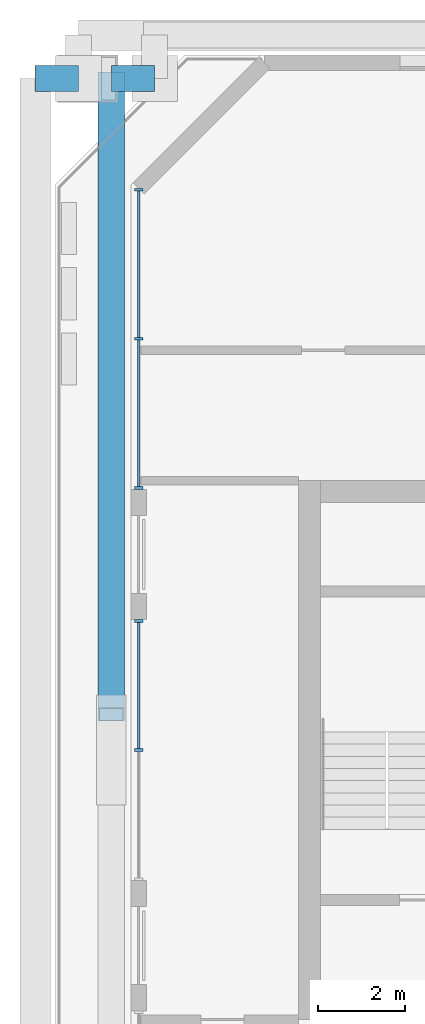
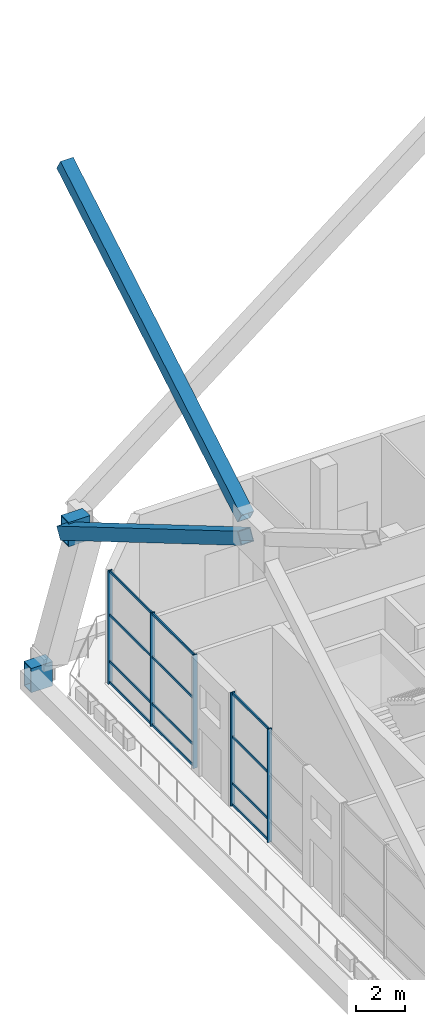
# One storey, part 4 of 20: 19 members, 2 beams, 2 elements without a shape of their own.
"""IFC4 building model written with IfcOpenShell, lengths in metres."""

from ifc_helpers import new_model, si_unit, direction, frame, origin, origin_2d, place, context, subcontext, project, spatial, rectangle, hollow_rectangle, extrude, material, material_profile, profile_set, type_object, element, aggregate, save


model = new_model("IFC4")

# Units and contexts
model_context = context("Model", 3, precision=1e-05, world=origin(), true_north=direction((0.0, 1.0)))
body_context = subcontext(model_context, "Body", "Model", "MODEL_VIEW")
ifc_project = project(units=[si_unit("LENGTHUNIT", "METRE"), si_unit("AREAUNIT", "SQUARE_METRE"), si_unit("VOLUMEUNIT", "CUBIC_METRE"), si_unit("PLANEANGLEUNIT", "RADIAN"), si_unit("MASSUNIT", "GRAM", prefix="KILO")], contexts=[model_context])

# Site, building, storey
site_placement = place(None, origin())
site = spatial("IfcSite", under=ifc_project, at=site_placement, CompositionType="ELEMENT")
building_placement = place(site_placement, origin())
building = spatial("IfcBuilding", under=site, at=building_placement, Name="Tuart Gate Housing", CompositionType="ELEMENT")
storey_placement = place(building_placement, frame((0.0, 0.0, 142.300048828125)))
storey = spatial("IfcBuildingStorey", under=building, at=storey_placement, Name="L40", CompositionType="ELEMENT", Elevation=142.300048828125)

# Beams
ifc_material_1 = material(Name="Steel Grade 350", Category="steel")
ifc_material_profile_1 = material_profile(ifc_material_1, hollow_rectangle(XDim=0.60009765625, YDim=1.199951171875, WallThickness=0.0400390625, at=origin_2d()), Name="BOX 1200x600x40")
ifc_profile_set_1 = profile_set([ifc_material_profile_1], Name="Steel Grade 350")
beam_type = type_object("IfcBeamType", Name="Brace shoe BOX 1200x600x40", PredefinedType="BEAM", material=ifc_profile_set_1)
for number, where, z_axis, x_axis, name in (
    (1, (27.300048828125, 85.449951171875, -0.400146484375), (-1.0, 0.0, 0.0), (0.0, -1.0, 0.0), "Mega tie beam A node 5 west shoe 1 L40"),
    (2, (29.050048828125, 85.449951171875, 6.199951171875), (-1.0, 0.0, 0.0), (0.0, -1.0, 0.0), "Mega brace shoe A zone 6 west cross 2"),
):
    element("IfcBeam", number, at=place(storey_placement, frame(where, z_axis=z_axis, x_axis=x_axis)), inside=storey, type_object=beam_type, Name=name, PredefinedType="BEAM", context=body_context, shape_type="SweptSolid", body=[
        extrude(hollow_rectangle(XDim=0.60009765625, YDim=1.199951171875, WallThickness=0.0400390625, at=origin_2d()), origin(), (0.0, 0.0, 1.0), 1.0),
    ])

# Members
ifc_material_2 = material(Name="Steel Grade 350", Category="steel")
ifc_material_profile_2 = material_profile(ifc_material_2, hollow_rectangle(XDim=0.60009765625, YDim=0.60009765625, WallThickness=0.030029296875, at=origin_2d()), Name="BOX 600x600x30")
ifc_profile_set_2 = profile_set([ifc_material_profile_2], Name="Steel Grade 350")
member_type_1 = type_object("IfcMemberType", Name="Mega brace BOX 600x600x30", PredefinedType="BRACE", material=ifc_profile_set_2)
for number, where, z_axis, x_axis, name in (
    (3, (28.050048828125, 70.818603515625, 15.781982421875), (0.0, 0.861644676374, 0.507512021214), (-1.0, 0.0, 0.0), "Mega brace A zone 6 west cross 1 b"),
    (4, (28.050048828125, 85.449951171875, 6.199951171875), (0.0, -0.861644676374, 0.507512021214), (1.0, 0.0, 0.0), "Mega brace A zone 6 west cross 2 a"),
):
    element("IfcMember", number, at=place(storey_placement, frame(where, z_axis=z_axis, x_axis=x_axis)), inside=storey, type_object=member_type_1, Name=name, PredefinedType="BRACE", context=body_context, shape_type="SweptSolid", body=[
        extrude(hollow_rectangle(XDim=0.60009765625, YDim=0.60009765625, WallThickness=0.030029296875, at=origin_2d()), origin(), (0.0, 0.0, 1.0), 16.980712890625),
    ])

# Curtain wall, members
ifc_material_3 = material(Name="Aluminium and clear glass", Category="aluminium")
curtain_wall_type = type_object("IfcCurtainWallType", Name="Sky garden front glazing", PredefinedType="USERDEFINED", material=ifc_material_3)
curtain_wall_1_placement = place(storey_placement, origin())
curtain_wall_1 = element("IfcCurtainWall", 5, at=curtain_wall_1_placement, inside=storey, type_object=curtain_wall_type, Name="Sky garden front glazing A-W L40", ObjectType="SKY GARDEN FRONT GLAZING", PredefinedType="USERDEFINED")
ifc_material_4 = material(Name="Anodised aluminium", Category="aluminium")
ifc_material_profile_3 = material_profile(ifc_material_4, rectangle(XDim=0.06005859375, YDim=0.199951171875, at=origin_2d()), Name="60x200")
ifc_profile_set_3 = profile_set([ifc_material_profile_3], Name="Anodised aluminium")
member_type_2 = type_object("IfcMemberType", Name="Mullion 60 x 200", PredefinedType="MULLION", material=ifc_profile_set_3)
member_1_placement = place(storey_placement, frame((28.679931640625, 82.8955078125, 0.0), z_axis=(0.0, 0.0, 1.0), x_axis=(0.0, -1.0, 0.0)))
member_1 = element("IfcMember", 6, at=member_1_placement, type_object=member_type_2, Name="CW4 mullion 1", PredefinedType="MULLION", context=body_context, shape_type="SweptSolid", body=[
    extrude(rectangle(XDim=0.06005859375, YDim=0.199951171875, at=origin_2d()), origin(), (0.0, 0.0, 1.0), 5.599853515625),
])
member_2_placement = place(storey_placement, frame((28.679931640625, 79.462646484375, 0.0), z_axis=(0.0, 0.0, 1.0), x_axis=(0.0, -1.0, 0.0)))
member_2 = element("IfcMember", 7, at=member_2_placement, type_object=member_type_2, Name="CW4 mullion 2", PredefinedType="MULLION", context=body_context, shape_type="SweptSolid", body=[
    extrude(rectangle(XDim=0.06005859375, YDim=0.199951171875, at=origin_2d()), origin(), (0.0, 0.0, 1.0), 5.599853515625),
])
member_3_placement = place(storey_placement, frame((28.679931640625, 76.030029296875, 0.0), z_axis=(0.0, 0.0, 1.0), x_axis=(0.0, -1.0, 0.0)))
member_3 = element("IfcMember", 8, at=member_3_placement, type_object=member_type_2, Name="CW4 mullion 3", PredefinedType="MULLION", context=body_context, shape_type="SweptSolid", body=[
    extrude(rectangle(XDim=0.06005859375, YDim=0.199951171875, at=origin_2d()), origin(), (0.0, 0.0, 1.0), 5.599853515625),
])

curtain_wall_2_placement = place(storey_placement, origin())
curtain_wall_2 = element("IfcCurtainWall", 9, at=curtain_wall_2_placement, inside=storey, type_object=curtain_wall_type, Name="Sky garden front glazing A-W L40", ObjectType="SKY GARDEN FRONT GLAZING", PredefinedType="USERDEFINED")
member_4_placement = place(storey_placement, frame((28.679931640625, 72.969970703125, 0.0), z_axis=(0.0, 0.0, 1.0), x_axis=(0.0, -1.0, 0.0)))
member_4 = element("IfcMember", 10, at=member_4_placement, type_object=member_type_2, Name="CW4 mullion 1", PredefinedType="MULLION", context=body_context, shape_type="SweptSolid", body=[
    extrude(rectangle(XDim=0.06005859375, YDim=0.199951171875, at=origin_2d()), origin(), (0.0, 0.0, 1.0), 5.599853515625),
])
member_5_placement = place(storey_placement, frame((28.679931640625, 70.0, 0.0), z_axis=(0.0, 0.0, 1.0), x_axis=(0.0, -1.0, 0.0)))
member_5 = element("IfcMember", 11, at=member_5_placement, type_object=member_type_2, Name="CW4 mullion 2", PredefinedType="MULLION", context=body_context, shape_type="SweptSolid", body=[
    extrude(rectangle(XDim=0.06005859375, YDim=0.199951171875, at=origin_2d()), origin(), (0.0, 0.0, 1.0), 5.599853515625),
])

# Member
ifc_material_5 = material(Name="Anodised aluminium", Category="aluminium")
ifc_material_profile_4 = material_profile(ifc_material_5, rectangle(XDim=0.06005859375, YDim=0.1201171875, at=origin_2d()), Name="60x120")
ifc_profile_set_4 = profile_set([ifc_material_profile_4], Name="Anodised aluminium")
member_type_3 = type_object("IfcMemberType", Name="Transom 60 x 120", PredefinedType="USERDEFINED", material=ifc_profile_set_4)
member_6_placement = place(storey_placement, frame((28.679931640625, 82.865478515625, 0.06005859375), z_axis=(0.0, -1.0, 0.0), x_axis=(1.0, 0.0, 0.0)))
member_6 = element("IfcMember", 12, at=member_6_placement, type_object=member_type_3, Name="CW4 transom 1.1", ObjectType="TRANSOM", PredefinedType="USERDEFINED", context=body_context, shape_type="SweptSolid", body=[
    extrude(rectangle(XDim=0.06005859375, YDim=0.1201171875, at=origin_2d()), origin(), (0.0, 0.0, 1.0), 3.372802734375),
])

member_7_placement = place(storey_placement, frame((28.679931640625, 82.865478515625, 1.099853515625), z_axis=(0.0, -1.0, 0.0), x_axis=(1.0, 0.0, 0.0)))
member_7 = element("IfcMember", 13, at=member_7_placement, type_object=member_type_3, Name="CW4 transom 1.2", ObjectType="TRANSOM", PredefinedType="USERDEFINED", context=body_context, shape_type="SweptSolid", body=[
    extrude(rectangle(XDim=0.06005859375, YDim=0.1201171875, at=origin_2d()), origin(), (0.0, 0.0, 1.0), 3.372802734375),
])

member_8_placement = place(storey_placement, frame((28.679931640625, 82.865478515625, 3.39990234375), z_axis=(0.0, -1.0, 0.0), x_axis=(1.0, 0.0, 0.0)))
member_8 = element("IfcMember", 14, at=member_8_placement, type_object=member_type_3, Name="CW4 transom 1.3", ObjectType="TRANSOM", PredefinedType="USERDEFINED", context=body_context, shape_type="SweptSolid", body=[
    extrude(rectangle(XDim=0.06005859375, YDim=0.1201171875, at=origin_2d()), origin(), (0.0, 0.0, 1.0), 3.372802734375),
])

member_9_placement = place(storey_placement, frame((28.679931640625, 82.865478515625, 5.5400390625), z_axis=(0.0, -1.0, 0.0), x_axis=(1.0, 0.0, 0.0)))
member_9 = element("IfcMember", 15, at=member_9_placement, type_object=member_type_3, Name="CW4 transom 1.4", ObjectType="TRANSOM", PredefinedType="USERDEFINED", context=body_context, shape_type="SweptSolid", body=[
    extrude(rectangle(XDim=0.06005859375, YDim=0.1201171875, at=origin_2d()), origin(), (0.0, 0.0, 1.0), 3.372802734375),
])

member_10_placement = place(storey_placement, frame((28.679931640625, 79.4326171875, 0.06005859375), z_axis=(0.0, -1.0, 0.0), x_axis=(1.0, 0.0, 0.0)))
member_10 = element("IfcMember", 16, at=member_10_placement, type_object=member_type_3, Name="CW4 transom 2.1", ObjectType="TRANSOM", PredefinedType="USERDEFINED", context=body_context, shape_type="SweptSolid", body=[
    extrude(rectangle(XDim=0.06005859375, YDim=0.1201171875, at=origin_2d()), origin(), (0.0, 0.0, 1.0), 3.37255859375),
])

member_11_placement = place(storey_placement, frame((28.679931640625, 79.4326171875, 1.099853515625), z_axis=(0.0, -1.0, 0.0), x_axis=(1.0, 0.0, 0.0)))
member_11 = element("IfcMember", 17, at=member_11_placement, type_object=member_type_3, Name="CW4 transom 2.2", ObjectType="TRANSOM", PredefinedType="USERDEFINED", context=body_context, shape_type="SweptSolid", body=[
    extrude(rectangle(XDim=0.06005859375, YDim=0.1201171875, at=origin_2d()), origin(), (0.0, 0.0, 1.0), 3.37255859375),
])

member_12_placement = place(storey_placement, frame((28.679931640625, 79.4326171875, 3.39990234375), z_axis=(0.0, -1.0, 0.0), x_axis=(1.0, 0.0, 0.0)))
member_12 = element("IfcMember", 18, at=member_12_placement, type_object=member_type_3, Name="CW4 transom 2.3", ObjectType="TRANSOM", PredefinedType="USERDEFINED", context=body_context, shape_type="SweptSolid", body=[
    extrude(rectangle(XDim=0.06005859375, YDim=0.1201171875, at=origin_2d()), origin(), (0.0, 0.0, 1.0), 3.37255859375),
])

member_13_placement = place(storey_placement, frame((28.679931640625, 79.4326171875, 5.5400390625), z_axis=(0.0, -1.0, 0.0), x_axis=(1.0, 0.0, 0.0)))
member_13 = element("IfcMember", 19, at=member_13_placement, type_object=member_type_3, Name="CW4 transom 2.4", ObjectType="TRANSOM", PredefinedType="USERDEFINED", context=body_context, shape_type="SweptSolid", body=[
    extrude(rectangle(XDim=0.06005859375, YDim=0.1201171875, at=origin_2d()), origin(), (0.0, 0.0, 1.0), 3.37255859375),
])

aggregate(curtain_wall_1, [member_1, member_2, member_3, member_6, member_7, member_8, member_9, member_10, member_11, member_12, member_13])

member_14_placement = place(storey_placement, frame((28.679931640625, 72.93994140625, 0.06005859375), z_axis=(0.0, -1.0, 0.0), x_axis=(1.0, 0.0, 0.0)))
member_14 = element("IfcMember", 20, at=member_14_placement, type_object=member_type_3, Name="CW4 transom 1.1", ObjectType="TRANSOM", PredefinedType="USERDEFINED", context=body_context, shape_type="SweptSolid", body=[
    extrude(rectangle(XDim=0.06005859375, YDim=0.1201171875, at=origin_2d()), origin(), (0.0, 0.0, 1.0), 2.909912109375),
])

member_15_placement = place(storey_placement, frame((28.679931640625, 72.93994140625, 1.099853515625), z_axis=(0.0, -1.0, 0.0), x_axis=(1.0, 0.0, 0.0)))
member_15 = element("IfcMember", 21, at=member_15_placement, type_object=member_type_3, Name="CW4 transom 1.2", ObjectType="TRANSOM", PredefinedType="USERDEFINED", context=body_context, shape_type="SweptSolid", body=[
    extrude(rectangle(XDim=0.06005859375, YDim=0.1201171875, at=origin_2d()), origin(), (0.0, 0.0, 1.0), 2.909912109375),
])

member_16_placement = place(storey_placement, frame((28.679931640625, 72.93994140625, 3.39990234375), z_axis=(0.0, -1.0, 0.0), x_axis=(1.0, 0.0, 0.0)))
member_16 = element("IfcMember", 22, at=member_16_placement, type_object=member_type_3, Name="CW4 transom 1.3", ObjectType="TRANSOM", PredefinedType="USERDEFINED", context=body_context, shape_type="SweptSolid", body=[
    extrude(rectangle(XDim=0.06005859375, YDim=0.1201171875, at=origin_2d()), origin(), (0.0, 0.0, 1.0), 2.909912109375),
])

member_17_placement = place(storey_placement, frame((28.679931640625, 72.93994140625, 5.5400390625), z_axis=(0.0, -1.0, 0.0), x_axis=(1.0, 0.0, 0.0)))
member_17 = element("IfcMember", 23, at=member_17_placement, type_object=member_type_3, Name="CW4 transom 1.4", ObjectType="TRANSOM", PredefinedType="USERDEFINED", context=body_context, shape_type="SweptSolid", body=[
    extrude(rectangle(XDim=0.06005859375, YDim=0.1201171875, at=origin_2d()), origin(), (0.0, 0.0, 1.0), 2.909912109375),
])

aggregate(curtain_wall_2, [member_4, member_5, member_14, member_15, member_16, member_17])

save(model, "model.ifc")
